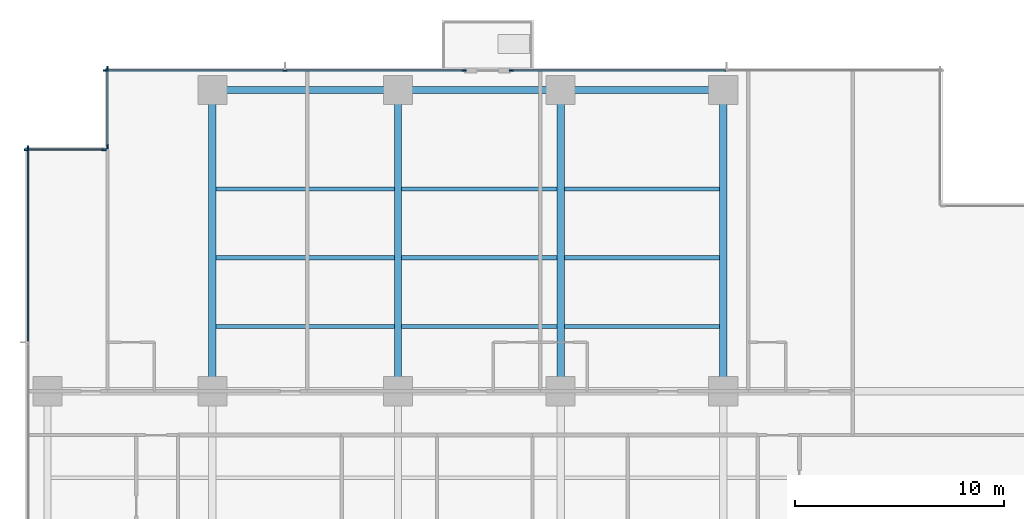
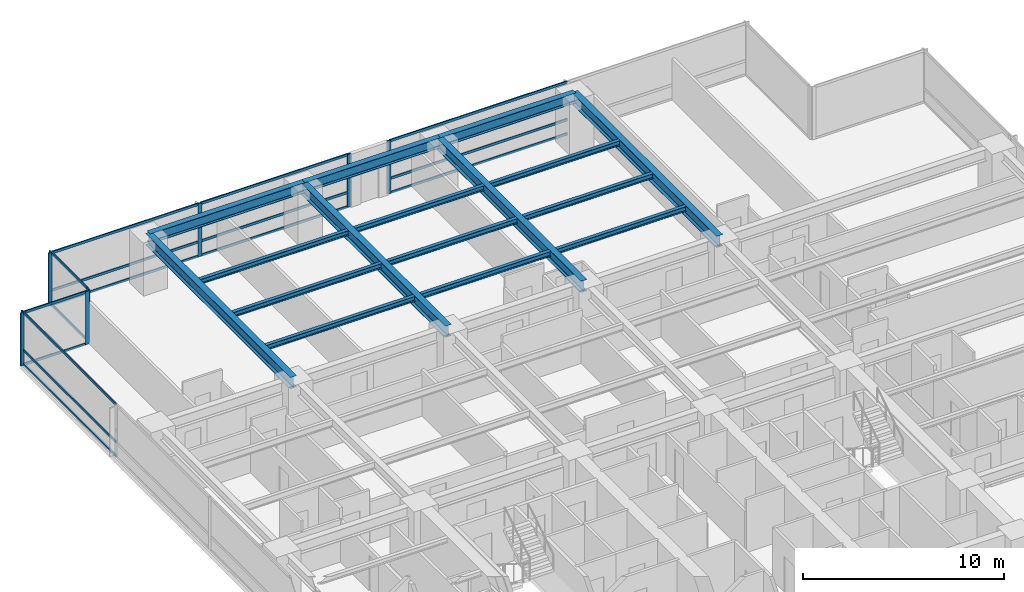
# One storey, part 4 of 17: 25 members, 16 beams, 5 elements without a shape of their own.
"""IFC4 building model written with IfcOpenShell, lengths in metres."""

import ifcopenshell
import ifcopenshell.guid

model = None  # the IFC model being written
_history = None  # IfcOwnerHistory: only IFC2X3 demands one
_inside = {}  # id of a spatial element -> (the spatial element, [elements in it])
_under = {}  # id of a project, library or spatial element -> (it, [spatial elements below it])
_declared = {}  # id of a project -> (the project, [libraries it declares])
_typed = {}  # id of a type object -> (the type object, [elements of that type])
_made_of = {}  # id of a material, layer set ... -> (it, [elements and type objects made of it])


def new_model(schema):
    """Start an empty IFC model of exactly this schema.

    Asked for "IFC4X3", IfcOpenShell would pick the latest addendum, in which some entities
    have other attributes; the version numbers below select the first issue.
    IFC2X3 requires an IfcOwnerHistory on every rooted entity: one is made here for all.
    """
    global model, _history
    if schema == "IFC4X3":
        model = ifcopenshell.file(schema_version=(4, 3, 0, 0))
    else:
        model = ifcopenshell.file(schema=schema)
    _inside.clear()
    _under.clear()
    _declared.clear()
    _typed.clear()
    _made_of.clear()
    _history = None
    if model.schema == "IFC2X3":
        org = make("IfcOrganization", Name="unknown")
        user = make(
            "IfcPersonAndOrganization",
            ThePerson=make("IfcPerson", FamilyName="unknown"),
            TheOrganization=org,
        )
        app = make(
            "IfcApplication",
            ApplicationDeveloper=org,
            Version="unknown",
            ApplicationFullName="unknown",
            ApplicationIdentifier="unknown",
        )
        _history = make(
            "IfcOwnerHistory",
            OwningUser=user,
            OwningApplication=app,
            ChangeAction="ADDED",
            CreationDate=0,
        )
    return model


def make(cls, **values):
    """One entity of the class cls with the attributes given. An attribute that is None is left unset."""
    return model.create_entity(
        cls, **{name: value for name, value in values.items() if value is not None}
    )


def rooted(cls, **values):
    """An entity with a GlobalId (a new one), such as an element, a storey or a relation."""
    return make(cls, GlobalId=ifcopenshell.guid.new(), OwnerHistory=_history, **values)


def si_unit(unit_type, name, prefix=None):
    """IfcSIUnit, for example si_unit("LENGTHUNIT", "METRE", prefix="MILLI")."""
    return make("IfcSIUnit", UnitType=unit_type, Prefix=prefix, Name=name)


def assignment(units):
    """IfcUnitAssignment: the units of a project."""
    return None if units is None else make("IfcUnitAssignment", Units=units)


def point(xyz):
    """IfcCartesianPoint."""
    return None if xyz is None else make("IfcCartesianPoint", Coordinates=xyz)


def direction(xyz):
    """IfcDirection."""
    return None if xyz is None else make("IfcDirection", DirectionRatios=xyz)


def frame(location, z_axis=None, x_axis=None):
    """IfcAxis2Placement3D, a coordinate frame: its origin and axes. An axis left out is left unset."""
    return make(
        "IfcAxis2Placement3D",
        Location=point(location),
        Axis=direction(z_axis),
        RefDirection=direction(x_axis),
    )


def frame_2d(location, x_axis=None):
    """IfcAxis2Placement2D, a coordinate frame in the plane: its origin and x axis."""
    return make(
        "IfcAxis2Placement2D", Location=point(location), RefDirection=direction(x_axis)
    )


def origin():
    """The frame at (0, 0, 0) with its axes left unset."""
    return frame((0.0, 0.0, 0.0))


def origin_2d():
    """The frame at (0, 0) in the plane with its x axis left unset."""
    return frame_2d((0.0, 0.0))


def place(relative_to, where):
    """IfcLocalPlacement: puts the frame where relative to a parent placement (None: the world)."""
    return make(
        "IfcLocalPlacement", PlacementRelTo=relative_to, RelativePlacement=where
    )


def context(
    kind, dimensions, precision=None, world=None, true_north=None, identifier=None
):
    """IfcGeometricRepresentationContext, for example the 3D "Model" context."""
    return make(
        "IfcGeometricRepresentationContext",
        ContextIdentifier=identifier,
        ContextType=kind,
        CoordinateSpaceDimension=dimensions,
        Precision=precision,
        WorldCoordinateSystem=world,
        TrueNorth=true_north,
    )


def subcontext(parent, identifier, kind, view, scale=None):
    """IfcGeometricRepresentationSubContext, for example "Body" below "Model"."""
    return make(
        "IfcGeometricRepresentationSubContext",
        ContextIdentifier=identifier,
        ContextType=kind,
        ParentContext=parent,
        TargetScale=scale,
        TargetView=view,
    )


def project(units=None, contexts=None):
    """IfcProject with its units and contexts."""
    return rooted(
        "IfcProject",
        Name="project",
        RepresentationContexts=contexts,
        UnitsInContext=assignment(units),
    )


def spatial(cls, under=None, at=None, **own):
    """A site, building, storey or space (cls), placed at a placement, below another one or the project."""
    s = rooted(cls, ObjectPlacement=at, **own)
    if under is not None:
        _under.setdefault(under.id(), (under, []))[1].append(s)
    return s


def profile(cls, at=None, kind="AREA", **sizes):
    """A parametric profile (cls). Its sizes go by their IFC names, for example OverallWidth=200.0."""
    return make(cls, ProfileType=kind, Position=at, **sizes)


def rectangle(**sizes):
    """IfcRectangleProfileDef."""
    return profile("IfcRectangleProfileDef", **sizes)


def i_section(**sizes):
    """IfcIShapeProfileDef."""
    return profile("IfcIShapeProfileDef", **sizes)


def extrude(swept, where, along, depth):
    """IfcExtrudedAreaSolid: the profile swept, set in the frame where, extruded along a direction by depth."""
    return make(
        "IfcExtrudedAreaSolid",
        SweptArea=swept,
        Position=where,
        ExtrudedDirection=direction(along),
        Depth=depth,
    )


def shape(context_of_items, identifier, shape_type, items):
    """IfcShapeRepresentation: the items that make up one representation, for example the "Body"."""
    return make(
        "IfcShapeRepresentation",
        ContextOfItems=context_of_items,
        RepresentationIdentifier=identifier,
        RepresentationType=shape_type,
        Items=items,
    )


def material(Name=None, Category=None):
    """IfcMaterial."""
    return make("IfcMaterial", Name=Name, Category=Category)


def layer(
    of_material, thickness, ventilated=None, Name=None, Category=None, Priority=None
):
    """IfcMaterialLayer: one layer of a wall or slab, of a material (None: an air gap)."""
    return make(
        "IfcMaterialLayer",
        Material=of_material,
        LayerThickness=thickness,
        IsVentilated=ventilated,
        Name=Name,
        Category=Category,
        Priority=Priority,
    )


def layer_set(layers, Name=None):
    """IfcMaterialLayerSet."""
    return make("IfcMaterialLayerSet", MaterialLayers=layers, LayerSetName=Name)


def material_profile(
    of_material, cross_section, Name=None, Category=None, Priority=None
):
    """IfcMaterialProfile: a cross section and its material."""
    return make(
        "IfcMaterialProfile",
        Name=Name,
        Material=of_material,
        Profile=cross_section,
        Priority=Priority,
        Category=Category,
    )


def profile_set(profiles, Name=None, composite=None):
    """IfcMaterialProfileSet."""
    return make(
        "IfcMaterialProfileSet",
        Name=Name,
        MaterialProfiles=profiles,
        CompositeProfile=composite,
    )


def made_of(thing, what):
    """Note that an element or type object is made of a material, layer set ...; save() writes the relation."""
    if what is not None:
        _made_of.setdefault(what.id(), (what, []))[1].append(thing)
    return thing


def type_object(cls, material=None, **own):
    """A type object (cls), such as IfcWallType, which elements share."""
    return made_of(rooted(cls, **own), material)


def element(
    cls,
    number,
    at=None,
    inside=None,
    cuts=None,
    type_object=None,
    material=None,
    context=None,
    identifier="Body",
    shape_type=None,
    held_by="IfcProductDefinitionShape",
    body=None,
    shapes=None,
    **own,
):
    """One element of the class cls, such as IfcWall. Its Tag is "e" and its number.

    at: its placement. inside: the storey or other place that contains it. cuts: it is an
    opening in that element (IfcRelVoidsElement). A single representation is given by context,
    identifier, shape_type and body (its items); several are given by shapes. held_by: the class
    of the entity that holds the representations. save() writes the other relations.
    """
    e = rooted(cls, Tag="e%d" % number, ObjectPlacement=at, **own)
    if body is not None:
        shapes = [shape(context, identifier, shape_type, body)]
    if shapes is not None:
        e.Representation = make(held_by, Representations=shapes)
    if inside is not None:
        _inside.setdefault(inside.id(), (inside, []))[1].append(e)
    if cuts is not None:
        rooted(
            "IfcRelVoidsElement", RelatingBuildingElement=cuts, RelatedOpeningElement=e
        )
    if type_object is not None:
        _typed.setdefault(type_object.id(), (type_object, []))[1].append(e)
    return made_of(e, material)


def aggregate(whole, parts):
    """IfcRelAggregates: a whole, such as a stair, and the parts it consists of."""
    return rooted("IfcRelAggregates", RelatingObject=whole, RelatedObjects=parts)


def save(model, path):
    """Write the relations noted so far, then the file.

    IfcRelAggregates (storeys below a building ...), IfcRelContainedInSpatialStructure (elements
    in a storey), IfcRelDefinesByType, IfcRelAssociatesMaterial and IfcRelDeclares: one each for
    every whole, place, type object, material and project.
    """
    for whole, parts in _under.values():
        aggregate(whole, parts)
    for where, things in _inside.values():
        rooted(
            "IfcRelContainedInSpatialStructure",
            RelatedElements=things,
            RelatingStructure=where,
        )
    for kind, things in _typed.values():
        rooted("IfcRelDefinesByType", RelatedObjects=things, RelatingType=kind)
    for what, things in _made_of.values():
        rooted("IfcRelAssociatesMaterial", RelatedObjects=things, RelatingMaterial=what)
    for by, libraries in _declared.values():
        rooted("IfcRelDeclares", RelatingContext=by, RelatedDefinitions=libraries)
    model.write(path)


model = new_model("IFC4")

# Units and contexts
model_context = context("Model", 3, precision=1e-05, world=origin(), true_north=direction((0.0, 1.0)))
body_context = subcontext(model_context, "Body", "Model", "MODEL_VIEW")
ifc_project = project(units=[si_unit("LENGTHUNIT", "METRE"), si_unit("AREAUNIT", "SQUARE_METRE"), si_unit("VOLUMEUNIT", "CUBIC_METRE"), si_unit("PLANEANGLEUNIT", "RADIAN"), si_unit("MASSUNIT", "GRAM", prefix="KILO")], contexts=[model_context])

# Site, building, storey
site_placement = place(None, origin())
site = spatial("IfcSite", under=ifc_project, at=site_placement, CompositionType="ELEMENT")
building_placement = place(site_placement, origin())
building = spatial("IfcBuilding", under=site, at=building_placement, Name="Qalmaran Belvedere Hotel", CompositionType="ELEMENT")
storey_placement = place(building_placement, frame((0.0, 0.0, 47.39990234375)))
storey = spatial("IfcBuildingStorey", under=building, at=storey_placement, Name="L11", CompositionType="ELEMENT", Elevation=47.39990234375)

# Beams
ifc_material_1 = material(Name="Steel S355JR", Category="steel")
ifc_material_profile_1 = material_profile(ifc_material_1, i_section(OverallWidth=0.202880859375, OverallDepth=0.302978515625, WebThickness=0.007568359375, FlangeThickness=0.01318359375, FilletRadius=0.012939453125, at=origin_2d()), Name="W310X60")
ifc_profile_set_1 = profile_set([ifc_material_profile_1], Name="Steel S355JR")
beam_type_1 = type_object("IfcBeamType", Name="BM-JST-W310X60", PredefinedType="JOIST", material=ifc_profile_set_1)
beam_1_placement = place(storey_placement, frame((20.4755859375, 36.10009765625, 3.068603515625), z_axis=(1.0, 0.0, 0.0), x_axis=(0.0, 1.0, 0.0)))
element("IfcBeam", 1, at=beam_1_placement, inside=storey, type_object=beam_type_1, Name="L11 North Floor Joist 042", PredefinedType="JOIST", context=body_context, shape_type="SweptSolid", body=[
    extrude(i_section(OverallWidth=0.202880859375, OverallDepth=0.302978515625, WebThickness=0.007568359375, FlangeThickness=0.01318359375, FilletRadius=0.012939453125, at=origin_2d()), origin(), (0.0, 0.0, 1.0), 8.548828125),
])
for number, where, z_axis, x_axis, name in (
    (2, (29.37548828125, 36.10009765625, 3.068603515625), (1.0, 0.0, 0.0), (0.0, 1.0, 0.0), "L11 North Floor Joist 043"),
    (3, (37.175537109375, 36.10009765625, 3.068603515625), (1.0, 0.0, 0.0), (0.0, 1.0, 0.0), "L11 North Floor Joist 044"),
):
    element("IfcBeam", number, at=place(storey_placement, frame(where, z_axis=z_axis, x_axis=x_axis)), inside=storey, type_object=beam_type_1, Name=name, PredefinedType="JOIST", context=body_context, shape_type="SweptSolid", body=[
        extrude(i_section(OverallWidth=0.202880859375, OverallDepth=0.302978515625, WebThickness=0.007568359375, FlangeThickness=0.01318359375, FilletRadius=0.012939453125, at=origin_2d()), origin(), (0.0, 0.0, 1.0), 7.448974609375),
    ])
beam_2_placement = place(storey_placement, frame((20.4755859375, 39.39990234375, 3.068603515625), z_axis=(1.0, 0.0, 0.0), x_axis=(0.0, 1.0, 0.0)))
element("IfcBeam", 4, at=beam_2_placement, inside=storey, type_object=beam_type_1, Name="L11 North Floor Joist 045", PredefinedType="JOIST", context=body_context, shape_type="SweptSolid", body=[
    extrude(i_section(OverallWidth=0.202880859375, OverallDepth=0.302978515625, WebThickness=0.007568359375, FlangeThickness=0.01318359375, FilletRadius=0.012939453125, at=origin_2d()), origin(), (0.0, 0.0, 1.0), 8.548828125),
])
for number, where, z_axis, x_axis, name in (
    (5, (29.37548828125, 39.39990234375, 3.068603515625), (1.0, 0.0, 0.0), (0.0, 1.0, 0.0), "L11 North Floor Joist 046"),
    (6, (37.175537109375, 39.39990234375, 3.068603515625), (1.0, 0.0, 0.0), (0.0, 1.0, 0.0), "L11 North Floor Joist 047"),
):
    element("IfcBeam", number, at=place(storey_placement, frame(where, z_axis=z_axis, x_axis=x_axis)), inside=storey, type_object=beam_type_1, Name=name, PredefinedType="JOIST", context=body_context, shape_type="SweptSolid", body=[
        extrude(i_section(OverallWidth=0.202880859375, OverallDepth=0.302978515625, WebThickness=0.007568359375, FlangeThickness=0.01318359375, FilletRadius=0.012939453125, at=origin_2d()), origin(), (0.0, 0.0, 1.0), 7.448974609375),
    ])
beam_3_placement = place(storey_placement, frame((20.4755859375, 42.699951171875, 3.068603515625), z_axis=(1.0, 0.0, 0.0), x_axis=(0.0, 1.0, 0.0)))
element("IfcBeam", 7, at=beam_3_placement, inside=storey, type_object=beam_type_1, Name="L11 North Floor Joist 048", PredefinedType="JOIST", context=body_context, shape_type="SweptSolid", body=[
    extrude(i_section(OverallWidth=0.202880859375, OverallDepth=0.302978515625, WebThickness=0.007568359375, FlangeThickness=0.01318359375, FilletRadius=0.012939453125, at=origin_2d()), origin(), (0.0, 0.0, 1.0), 8.548828125),
])
for number, where, z_axis, x_axis, name in (
    (8, (29.37548828125, 42.699951171875, 3.068603515625), (1.0, 0.0, 0.0), (0.0, 1.0, 0.0), "L11 North Floor Joist 049"),
    (9, (37.175537109375, 42.699951171875, 3.068603515625), (1.0, 0.0, 0.0), (0.0, 1.0, 0.0), "L11 North Floor Joist 050"),
):
    element("IfcBeam", number, at=place(storey_placement, frame(where, z_axis=z_axis, x_axis=x_axis)), inside=storey, type_object=beam_type_1, Name=name, PredefinedType="JOIST", context=body_context, shape_type="SweptSolid", body=[
        extrude(i_section(OverallWidth=0.202880859375, OverallDepth=0.302978515625, WebThickness=0.007568359375, FlangeThickness=0.01318359375, FilletRadius=0.012939453125, at=origin_2d()), origin(), (0.0, 0.0, 1.0), 7.448974609375),
    ])
ifc_material_profile_2 = material_profile(ifc_material_1, i_section(OverallWidth=0.326904296875, OverallDepth=0.6220703125, WebThickness=0.015380859375, FlangeThickness=0.0244140625, FilletRadius=0.02001953125, at=origin_2d()), Name="W610X195")
ifc_profile_set_2 = profile_set([ifc_material_profile_2], Name="Steel S355JR")
beam_type_2 = type_object("IfcBeamType", Name="BM-SP1-W610X195", PredefinedType="SPANDREL", material=ifc_profile_set_2)
beam_4_placement = place(storey_placement, frame((20.300048828125, 47.449951171875, 2.9091796875), z_axis=(1.0, 0.0, 0.0), x_axis=(0.0, 1.0, 0.0)))
element("IfcBeam", 10, at=beam_4_placement, inside=storey, type_object=beam_type_2, Name="L11 Perimeter Spandrel 05", PredefinedType="SPANDREL", context=body_context, shape_type="SweptSolid", body=[
    extrude(i_section(OverallWidth=0.326904296875, OverallDepth=0.6220703125, WebThickness=0.015380859375, FlangeThickness=0.0244140625, FilletRadius=0.02001953125, at=origin_2d()), origin(), (0.0, 0.0, 1.0), 8.89990234375),
])
for number, where, z_axis, x_axis, name in (
    (11, (29.199951171875, 47.449951171875, 2.9091796875), (1.0, 0.0, 0.0), (0.0, 1.0, 0.0), "L11 Perimeter Spandrel 06"),
    (12, (37.0, 47.449951171875, 2.9091796875), (1.0, 0.0, 0.0), (0.0, 1.0, 0.0), "L11 Perimeter Spandrel 07"),
):
    element("IfcBeam", number, at=place(storey_placement, frame(where, z_axis=z_axis, x_axis=x_axis)), inside=storey, type_object=beam_type_2, Name=name, PredefinedType="SPANDREL", context=body_context, shape_type="SweptSolid", body=[
        extrude(i_section(OverallWidth=0.326904296875, OverallDepth=0.6220703125, WebThickness=0.015380859375, FlangeThickness=0.0244140625, FilletRadius=0.02001953125, at=origin_2d()), origin(), (0.0, 0.0, 1.0), 7.800048828125),
    ])
ifc_material_profile_3 = material_profile(ifc_material_1, i_section(OverallWidth=0.35498046875, OverallDepth=0.695068359375, WebThickness=0.015380859375, FlangeThickness=0.02490234375, FilletRadius=0.02197265625, at=origin_2d()), Name="W690X217")
ifc_profile_set_3 = profile_set([ifc_material_profile_3], Name="Steel S355JR")
beam_type_3 = type_object("IfcBeamType", Name="BM-Z1-W690X217", PredefinedType="USERDEFINED", material=ifc_profile_set_3)
for number, where, z_axis, x_axis, name in (
    (13, (20.300048828125, 33.0, 2.87255859375), (0.0, 1.0, 0.0), (-1.0, 0.0, 0.0), "L11 North Bay Girder 15"),
    (14, (29.199951171875, 33.0, 2.87255859375), (0.0, 1.0, 0.0), (-1.0, 0.0, 0.0), "L11 North Bay Girder 17"),
    (15, (37.0, 33.0, 2.87255859375), (0.0, 1.0, 0.0), (-1.0, 0.0, 0.0), "L11 North Bay Girder 19"),
    (16, (44.800048828125, 33.0, 2.87255859375), (0.0, 1.0, 0.0), (-1.0, 0.0, 0.0), "L11 North Bay Girder 21"),
):
    element("IfcBeam", number, at=place(storey_placement, frame(where, z_axis=z_axis, x_axis=x_axis)), inside=storey, type_object=beam_type_3, Name=name, ObjectType="GIRDER", PredefinedType="USERDEFINED", context=body_context, shape_type="SweptSolid", body=[
        extrude(i_section(OverallWidth=0.35498046875, OverallDepth=0.695068359375, WebThickness=0.015380859375, FlangeThickness=0.02490234375, FilletRadius=0.02197265625, at=origin_2d()), origin(), (0.0, 0.0, 1.0), 14.449951171875),
    ])

# Curtain wall, members
ifc_material_2 = material(Name="Anodised Bronze Aluminium", Category="aluminium")
ifc_layer = layer(ifc_material_2, 0.2099609375, Name="Anodised Bronze Aluminium")
ifc_layer_set = layer_set([ifc_layer], Name="Anodised Bronze Aluminium")
curtain_wall_type = type_object("IfcCurtainWallType", Name="CW2-TOWER-LOWER", PredefinedType="NOTDEFINED", material=ifc_layer_set)
curtain_wall_1_placement = place(storey_placement, origin())
curtain_wall_1 = element("IfcCurtainWall", 17, at=curtain_wall_1_placement, inside=storey, type_object=curtain_wall_type, Name="L11 Curtain Wall CW2", PredefinedType="NOTDEFINED")
ifc_material_profile_4 = material_profile(ifc_material_2, rectangle(XDim=0.074951171875, YDim=0.219970703125, at=origin_2d()), Name="CWM75X220")
ifc_profile_set_4 = profile_set([ifc_material_profile_4], Name="Anodised Bronze Aluminium")
member_type_1 = type_object("IfcMemberType", Name="CWM-75X220", PredefinedType="MULLION", material=ifc_profile_set_4)
member_1_placement = place(storey_placement, frame((32.362548828125, 48.3798828125, 0.0), z_axis=(0.0, 0.0, 1.0), x_axis=(0.0, -1.0, 0.0)))
member_1 = element("IfcMember", 18, at=member_1_placement, type_object=member_type_1, Name="CW2 mullion 1", PredefinedType="MULLION", context=body_context, shape_type="SweptSolid", body=[
    extrude(rectangle(XDim=0.074951171875, YDim=0.219970703125, at=origin_2d()), origin(), (0.0, 0.0, 1.0), 3.22021484375),
])
member_2_placement = place(storey_placement, frame((23.77490234375, 48.3798828125, 0.0), z_axis=(0.0, 0.0, 1.0), x_axis=(0.0, -1.0, 0.0)))
member_2 = element("IfcMember", 19, at=member_2_placement, type_object=member_type_1, Name="CW2 mullion 2", PredefinedType="MULLION", context=body_context, shape_type="SweptSolid", body=[
    extrude(rectangle(XDim=0.074951171875, YDim=0.219970703125, at=origin_2d()), origin(), (0.0, 0.0, 1.0), 3.22021484375),
])
member_3_placement = place(storey_placement, frame((15.1875, 48.3798828125, 0.0), z_axis=(0.0, 0.0, 1.0), x_axis=(0.0, -1.0, 0.0)))
member_3 = element("IfcMember", 20, at=member_3_placement, type_object=member_type_1, Name="CW2 mullion 3", PredefinedType="MULLION", context=body_context, shape_type="SweptSolid", body=[
    extrude(rectangle(XDim=0.074951171875, YDim=0.219970703125, at=origin_2d()), origin(), (0.0, 0.0, 1.0), 3.22021484375),
])

# Curtain wall, member
curtain_wall_2_placement = place(storey_placement, origin())
curtain_wall_2 = element("IfcCurtainWall", 21, at=curtain_wall_2_placement, inside=storey, type_object=curtain_wall_type, Name="L11 Curtain Wall CW2", PredefinedType="NOTDEFINED")
member_4_placement = place(storey_placement, frame((34.637451171875, 48.3798828125, 0.0), z_axis=(0.0, 0.0, 1.0), x_axis=(0.0, -1.0, 0.0)))
member_4 = element("IfcMember", 22, at=member_4_placement, type_object=member_type_1, Name="CW2 mullion 3", PredefinedType="MULLION", context=body_context, shape_type="SweptSolid", body=[
    extrude(rectangle(XDim=0.074951171875, YDim=0.219970703125, at=origin_2d()), origin(), (0.0, 0.0, 1.0), 3.22021484375),
])

# Curtain wall, members
curtain_wall_3_placement = place(storey_placement, origin())
curtain_wall_3 = element("IfcCurtainWall", 23, at=curtain_wall_3_placement, inside=storey, type_object=curtain_wall_type, Name="L11 Curtain Wall CW2", PredefinedType="NOTDEFINED")
member_5_placement = place(storey_placement, frame((15.27001953125, 48.46240234375, 0.0), z_axis=(0.0, 0.0, 1.0), x_axis=(1.0, 0.0, 0.0)))
member_5 = element("IfcMember", 24, at=member_5_placement, type_object=member_type_1, Name="CW2 mullion 1", PredefinedType="MULLION", context=body_context, shape_type="SweptSolid", body=[
    extrude(rectangle(XDim=0.074951171875, YDim=0.219970703125, at=origin_2d()), origin(), (0.0, 0.0, 1.0), 3.22021484375),
])
member_6_placement = place(storey_placement, frame((15.27001953125, 44.737548828125, 0.0), z_axis=(0.0, 0.0, 1.0), x_axis=(1.0, 0.0, 0.0)))
member_6 = element("IfcMember", 25, at=member_6_placement, type_object=member_type_1, Name="CW2 mullion 2", PredefinedType="MULLION", context=body_context, shape_type="SweptSolid", body=[
    extrude(rectangle(XDim=0.074951171875, YDim=0.219970703125, at=origin_2d()), origin(), (0.0, 0.0, 1.0), 3.22021484375),
])

curtain_wall_4_placement = place(storey_placement, origin())
curtain_wall_4 = element("IfcCurtainWall", 26, at=curtain_wall_4_placement, inside=storey, type_object=curtain_wall_type, Name="L11 Curtain Wall CW2", PredefinedType="NOTDEFINED")
member_7_placement = place(storey_placement, frame((15.112548828125, 44.580078125, 0.0), z_axis=(0.0, 0.0, 1.0), x_axis=(0.0, -1.0, 0.0)))
member_7 = element("IfcMember", 27, at=member_7_placement, type_object=member_type_1, Name="CW2 mullion 1", PredefinedType="MULLION", context=body_context, shape_type="SweptSolid", body=[
    extrude(rectangle(XDim=0.074951171875, YDim=0.219970703125, at=origin_2d()), origin(), (0.0, 0.0, 1.0), 3.22021484375),
])
member_8_placement = place(storey_placement, frame((11.387451171875, 44.580078125, 0.0), z_axis=(0.0, 0.0, 1.0), x_axis=(0.0, -1.0, 0.0)))
member_8 = element("IfcMember", 28, at=member_8_placement, type_object=member_type_1, Name="CW2 mullion 2", PredefinedType="MULLION", context=body_context, shape_type="SweptSolid", body=[
    extrude(rectangle(XDim=0.074951171875, YDim=0.219970703125, at=origin_2d()), origin(), (0.0, 0.0, 1.0), 3.22021484375),
])

# Curtain wall, member
curtain_wall_5_placement = place(storey_placement, origin())
curtain_wall_5 = element("IfcCurtainWall", 29, at=curtain_wall_5_placement, inside=storey, type_object=curtain_wall_type, Name="L11 Curtain Wall CW2", PredefinedType="NOTDEFINED")
member_9_placement = place(storey_placement, frame((11.469970703125, 44.66259765625, 0.0), z_axis=(0.0, 0.0, 1.0), x_axis=(1.0, 0.0, 0.0)))
member_9 = element("IfcMember", 30, at=member_9_placement, type_object=member_type_1, Name="CW2 mullion 1", PredefinedType="MULLION", context=body_context, shape_type="SweptSolid", body=[
    extrude(rectangle(XDim=0.074951171875, YDim=0.219970703125, at=origin_2d()), origin(), (0.0, 0.0, 1.0), 3.22021484375),
])

# Member
ifc_material_profile_5 = material_profile(ifc_material_2, rectangle(XDim=0.070068359375, YDim=0.14990234375, at=origin_2d()), Name="CWT70X150")
ifc_profile_set_5 = profile_set([ifc_material_profile_5], Name="Anodised Bronze Aluminium")
member_type_2 = type_object("IfcMemberType", Name="CWT-70X150", PredefinedType="USERDEFINED", material=ifc_profile_set_5)
member_10_placement = place(storey_placement, frame((32.324951171875, 48.3798828125, 0.03515625), z_axis=(-1.0, 0.0, 0.0), x_axis=(0.0, -1.0, 0.0)))
member_10 = element("IfcMember", 31, at=member_10_placement, type_object=member_type_2, Name="CW2 transom 1.1", ObjectType="TRANSOM", PredefinedType="USERDEFINED", context=body_context, shape_type="SweptSolid", body=[
    extrude(rectangle(XDim=0.070068359375, YDim=0.14990234375, at=origin_2d()), origin(), (0.0, 0.0, 1.0), 8.512451171875),
])

member_11_placement = place(storey_placement, frame((32.324951171875, 48.3798828125, 0.901611328125), z_axis=(-1.0, 0.0, 0.0), x_axis=(0.0, -1.0, 0.0)))
member_11 = element("IfcMember", 32, at=member_11_placement, type_object=member_type_2, Name="CW2 transom 1.2", ObjectType="TRANSOM", PredefinedType="USERDEFINED", context=body_context, shape_type="SweptSolid", body=[
    extrude(rectangle(XDim=0.070068359375, YDim=0.14990234375, at=origin_2d()), origin(), (0.0, 0.0, 1.0), 8.512451171875),
])

member_12_placement = place(storey_placement, frame((32.324951171875, 48.3798828125, 3.18505859375), z_axis=(-1.0, 0.0, 0.0), x_axis=(0.0, -1.0, 0.0)))
member_12 = element("IfcMember", 33, at=member_12_placement, type_object=member_type_2, Name="CW2 transom 1.3", ObjectType="TRANSOM", PredefinedType="USERDEFINED", context=body_context, shape_type="SweptSolid", body=[
    extrude(rectangle(XDim=0.070068359375, YDim=0.14990234375, at=origin_2d()), origin(), (0.0, 0.0, 1.0), 8.512451171875),
])

member_13_placement = place(storey_placement, frame((23.737548828125, 48.3798828125, 0.03515625), z_axis=(-1.0, 0.0, 0.0), x_axis=(0.0, -1.0, 0.0)))
member_13 = element("IfcMember", 34, at=member_13_placement, type_object=member_type_2, Name="CW2 transom 2.1", ObjectType="TRANSOM", PredefinedType="USERDEFINED", context=body_context, shape_type="SweptSolid", body=[
    extrude(rectangle(XDim=0.070068359375, YDim=0.14990234375, at=origin_2d()), origin(), (0.0, 0.0, 1.0), 8.512451171875),
])

member_14_placement = place(storey_placement, frame((23.737548828125, 48.3798828125, 0.901611328125), z_axis=(-1.0, 0.0, 0.0), x_axis=(0.0, -1.0, 0.0)))
member_14 = element("IfcMember", 35, at=member_14_placement, type_object=member_type_2, Name="CW2 transom 2.2", ObjectType="TRANSOM", PredefinedType="USERDEFINED", context=body_context, shape_type="SweptSolid", body=[
    extrude(rectangle(XDim=0.070068359375, YDim=0.14990234375, at=origin_2d()), origin(), (0.0, 0.0, 1.0), 8.512451171875),
])

member_15_placement = place(storey_placement, frame((23.737548828125, 48.3798828125, 3.18505859375), z_axis=(-1.0, 0.0, 0.0), x_axis=(0.0, -1.0, 0.0)))
member_15 = element("IfcMember", 36, at=member_15_placement, type_object=member_type_2, Name="CW2 transom 2.3", ObjectType="TRANSOM", PredefinedType="USERDEFINED", context=body_context, shape_type="SweptSolid", body=[
    extrude(rectangle(XDim=0.070068359375, YDim=0.14990234375, at=origin_2d()), origin(), (0.0, 0.0, 1.0), 8.512451171875),
])

aggregate(curtain_wall_1, [member_1, member_2, member_3, member_10, member_11, member_12, member_13, member_14, member_15])

member_16_placement = place(storey_placement, frame((44.91259765625, 48.3798828125, 0.03515625), z_axis=(-1.0, 0.0, 0.0), x_axis=(0.0, -1.0, 0.0)))
member_16 = element("IfcMember", 37, at=member_16_placement, type_object=member_type_2, Name="CW2 transom 2.1", ObjectType="TRANSOM", PredefinedType="USERDEFINED", context=body_context, shape_type="SweptSolid", body=[
    extrude(rectangle(XDim=0.070068359375, YDim=0.14990234375, at=origin_2d()), origin(), (0.0, 0.0, 1.0), 10.237548828125),
])

member_17_placement = place(storey_placement, frame((44.91259765625, 48.3798828125, 0.901611328125), z_axis=(-1.0, 0.0, 0.0), x_axis=(0.0, -1.0, 0.0)))
member_17 = element("IfcMember", 38, at=member_17_placement, type_object=member_type_2, Name="CW2 transom 2.2", ObjectType="TRANSOM", PredefinedType="USERDEFINED", context=body_context, shape_type="SweptSolid", body=[
    extrude(rectangle(XDim=0.070068359375, YDim=0.14990234375, at=origin_2d()), origin(), (0.0, 0.0, 1.0), 10.237548828125),
])

member_18_placement = place(storey_placement, frame((44.91259765625, 48.3798828125, 3.18505859375), z_axis=(-1.0, 0.0, 0.0), x_axis=(0.0, -1.0, 0.0)))
member_18 = element("IfcMember", 39, at=member_18_placement, type_object=member_type_2, Name="CW2 transom 2.3", ObjectType="TRANSOM", PredefinedType="USERDEFINED", context=body_context, shape_type="SweptSolid", body=[
    extrude(rectangle(XDim=0.070068359375, YDim=0.14990234375, at=origin_2d()), origin(), (0.0, 0.0, 1.0), 10.237548828125),
])

aggregate(curtain_wall_2, [member_4, member_16, member_17, member_18])

member_19_placement = place(storey_placement, frame((15.27001953125, 48.425048828125, 0.03515625), z_axis=(0.0, -1.0, 0.0), x_axis=(1.0, 0.0, 0.0)))
member_19 = element("IfcMember", 40, at=member_19_placement, type_object=member_type_2, Name="CW2 transom 1.1", ObjectType="TRANSOM", PredefinedType="USERDEFINED", context=body_context, shape_type="SweptSolid", body=[
    extrude(rectangle(XDim=0.070068359375, YDim=0.14990234375, at=origin_2d()), origin(), (0.0, 0.0, 1.0), 3.650146484375),
])

member_20_placement = place(storey_placement, frame((15.27001953125, 48.425048828125, 3.18505859375), z_axis=(0.0, -1.0, 0.0), x_axis=(1.0, 0.0, 0.0)))
member_20 = element("IfcMember", 41, at=member_20_placement, type_object=member_type_2, Name="CW2 transom 1.2", ObjectType="TRANSOM", PredefinedType="USERDEFINED", context=body_context, shape_type="SweptSolid", body=[
    extrude(rectangle(XDim=0.070068359375, YDim=0.14990234375, at=origin_2d()), origin(), (0.0, 0.0, 1.0), 3.650146484375),
])

aggregate(curtain_wall_3, [member_5, member_6, member_19, member_20])

member_21_placement = place(storey_placement, frame((15.074951171875, 44.580078125, 0.03515625), z_axis=(-1.0, 0.0, 0.0), x_axis=(0.0, -1.0, 0.0)))
member_21 = element("IfcMember", 42, at=member_21_placement, type_object=member_type_2, Name="CW2 transom 1.1", ObjectType="TRANSOM", PredefinedType="USERDEFINED", context=body_context, shape_type="SweptSolid", body=[
    extrude(rectangle(XDim=0.070068359375, YDim=0.14990234375, at=origin_2d()), origin(), (0.0, 0.0, 1.0), 3.64990234375),
])

member_22_placement = place(storey_placement, frame((15.074951171875, 44.580078125, 3.18505859375), z_axis=(-1.0, 0.0, 0.0), x_axis=(0.0, -1.0, 0.0)))
member_22 = element("IfcMember", 43, at=member_22_placement, type_object=member_type_2, Name="CW2 transom 1.2", ObjectType="TRANSOM", PredefinedType="USERDEFINED", context=body_context, shape_type="SweptSolid", body=[
    extrude(rectangle(XDim=0.070068359375, YDim=0.14990234375, at=origin_2d()), origin(), (0.0, 0.0, 1.0), 3.64990234375),
])

aggregate(curtain_wall_4, [member_7, member_8, member_21, member_22])

member_23_placement = place(storey_placement, frame((11.469970703125, 44.625, 0.03515625), z_axis=(0.0, -1.0, 0.0), x_axis=(1.0, 0.0, 0.0)))
member_23 = element("IfcMember", 44, at=member_23_placement, type_object=member_type_2, Name="CW2 transom 1.1", ObjectType="TRANSOM", PredefinedType="USERDEFINED", context=body_context, shape_type="SweptSolid", body=[
    extrude(rectangle(XDim=0.070068359375, YDim=0.14990234375, at=origin_2d()), origin(), (0.0, 0.0, 1.0), 9.237548828125),
])

member_24_placement = place(storey_placement, frame((11.469970703125, 44.625, 0.901611328125), z_axis=(0.0, -1.0, 0.0), x_axis=(1.0, 0.0, 0.0)))
member_24 = element("IfcMember", 45, at=member_24_placement, type_object=member_type_2, Name="CW2 transom 1.2", ObjectType="TRANSOM", PredefinedType="USERDEFINED", context=body_context, shape_type="SweptSolid", body=[
    extrude(rectangle(XDim=0.070068359375, YDim=0.14990234375, at=origin_2d()), origin(), (0.0, 0.0, 1.0), 9.237548828125),
])

member_25_placement = place(storey_placement, frame((11.469970703125, 44.625, 3.18505859375), z_axis=(0.0, -1.0, 0.0), x_axis=(1.0, 0.0, 0.0)))
member_25 = element("IfcMember", 46, at=member_25_placement, type_object=member_type_2, Name="CW2 transom 1.3", ObjectType="TRANSOM", PredefinedType="USERDEFINED", context=body_context, shape_type="SweptSolid", body=[
    extrude(rectangle(XDim=0.070068359375, YDim=0.14990234375, at=origin_2d()), origin(), (0.0, 0.0, 1.0), 9.237548828125),
])

aggregate(curtain_wall_5, [member_9, member_23, member_24, member_25])

save(model, "model.ifc")
